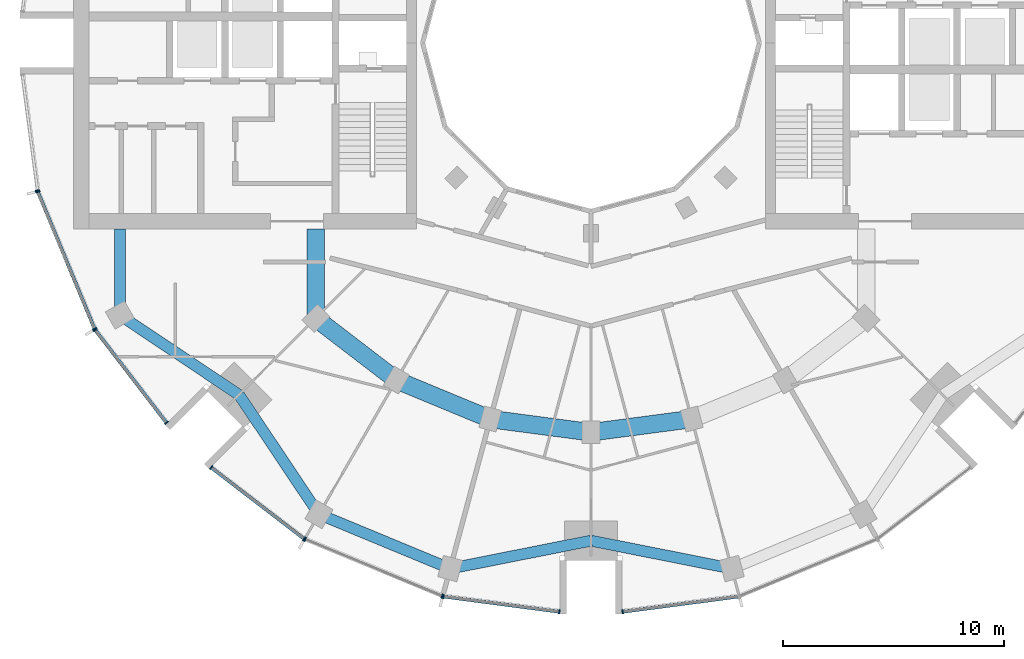
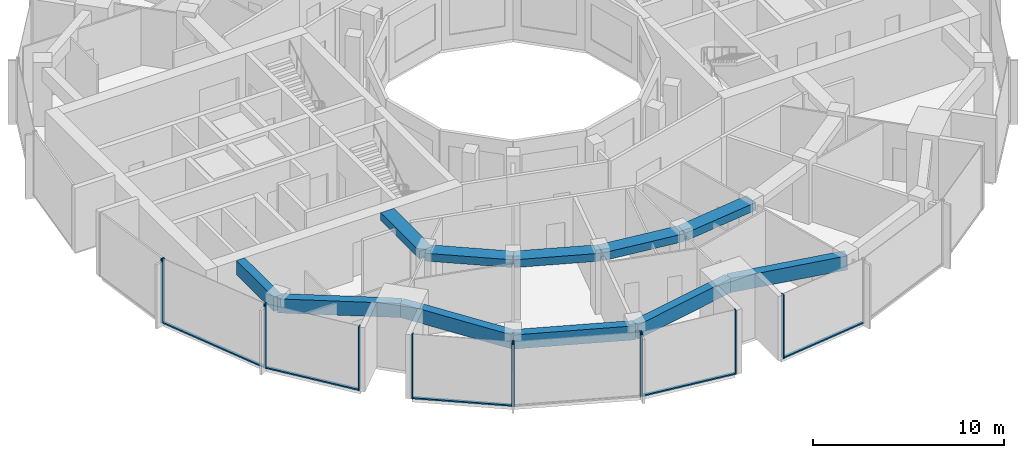
# One storey, part 2 of 15: 17 members, 11 beams, 7 elements without a shape of their own.
"""IFC4 building model written with IfcOpenShell, lengths in metres."""

from ifc_helpers import new_model, si_unit, direction, frame, origin, origin_2d, place, context, subcontext, project, spatial, rectangle, extrude, material, layer, layer_set, material_profile, profile_set, type_object, element, aggregate, save


model = new_model("IFC4")

# Units and contexts
model_context = context("Model", 3, precision=1e-05, world=origin(), true_north=direction((0.0, 1.0)))
body_context = subcontext(model_context, "Body", "Model", "MODEL_VIEW")
ifc_project = project(units=[si_unit("LENGTHUNIT", "METRE"), si_unit("AREAUNIT", "SQUARE_METRE"), si_unit("VOLUMEUNIT", "CUBIC_METRE"), si_unit("PLANEANGLEUNIT", "RADIAN"), si_unit("MASSUNIT", "GRAM", prefix="KILO")], contexts=[model_context])

# Site, building, storey
site_placement = place(None, origin())
site = spatial("IfcSite", under=ifc_project, at=site_placement, CompositionType="ELEMENT")
building_placement = place(site_placement, origin())
building = spatial("IfcBuilding", under=site, at=building_placement, Name="Torre Brocal", CompositionType="ELEMENT")
storey_placement = place(building_placement, frame((0.0, 0.0, 194.60009765625)))
storey = spatial("IfcBuildingStorey", under=building, at=storey_placement, Name="L45", CompositionType="ELEMENT", Elevation=194.60009765625)

# Curtain wall, members
ifc_material_1 = material(Name="Aluminium and glass", Category="aluminium")
ifc_layer_1 = layer(ifc_material_1, 0.199951171875)
ifc_layer_set_1 = layer_set([ifc_layer_1], Name="Aluminium and glass")
curtain_wall_type_1 = type_object("IfcCurtainWallType", Name="CW-1 CURTAIN WALL 4100 HIGH", PredefinedType="NOTDEFINED", material=ifc_layer_set_1)
curtain_wall_1_placement = place(storey_placement, origin())
curtain_wall_1 = element("IfcCurtainWall", 1, at=curtain_wall_1_placement, inside=storey, type_object=curtain_wall_type_1, Name="CW-1 RUN 14", PredefinedType="NOTDEFINED")
ifc_material_2 = material(Name="Aluminium, dark anodised", Category="aluminium")
ifc_material_profile_1 = material_profile(ifc_material_2, rectangle(XDim=0.199951171875, YDim=0.06005859375, at=origin_2d()), Name="CW-1 MULLION 60X200")
ifc_profile_set_1 = profile_set([ifc_material_profile_1], Name="Aluminium, dark anodised")
member_type_1 = type_object("IfcMemberType", Name="CW-1 MULLION 60X200", PredefinedType="MULLION", material=ifc_profile_set_1)
member_1_placement = place(storey_placement, frame((54.994873046875, 68.26904296875, 0.0), z_axis=(0.0, 0.0, 1.0), x_axis=(0.923879532525, 0.382683432333, 0.0)))
member_1 = element("IfcMember", 2, at=member_1_placement, type_object=member_type_1, Name="CW1-4 mullion 1", PredefinedType="MULLION", context=body_context, shape_type="SweptSolid", body=[
    extrude(rectangle(XDim=0.199951171875, YDim=0.06005859375, at=origin_2d()), origin(), (0.0, 0.0, 1.0), 4.099853515625),
])
member_2_placement = place(storey_placement, frame((57.559326171875, 62.078125, 0.0), z_axis=(0.0, 0.0, 1.0), x_axis=(0.923879532525, 0.382683432333, 0.0)))
member_2 = element("IfcMember", 3, at=member_2_placement, type_object=member_type_1, Name="CW1-4 mullion 2", PredefinedType="MULLION", context=body_context, shape_type="SweptSolid", body=[
    extrude(rectangle(XDim=0.199951171875, YDim=0.06005859375, at=origin_2d()), origin(), (0.0, 0.0, 1.0), 4.099853515625),
])

curtain_wall_2_placement = place(storey_placement, origin())
curtain_wall_2 = element("IfcCurtainWall", 4, at=curtain_wall_2_placement, inside=storey, type_object=curtain_wall_type_1, Name="CW-1 RUN 15", PredefinedType="NOTDEFINED")
member_3_placement = place(storey_placement, frame((57.5888671875, 62.026611328125, 0.0), z_axis=(0.0, 0.0, 1.0), x_axis=(0.793353340259, 0.60876142905, 0.0)))
member_3 = element("IfcMember", 5, at=member_3_placement, type_object=member_type_1, Name="CW1-4 mullion 1", PredefinedType="MULLION", context=body_context, shape_type="SweptSolid", body=[
    extrude(rectangle(XDim=0.199951171875, YDim=0.06005859375, at=origin_2d()), origin(), (0.0, 0.0, 1.0), 4.099853515625),
])
member_4_placement = place(storey_placement, frame((60.80859375, 57.83056640625, 0.0), z_axis=(0.0, 0.0, 1.0), x_axis=(0.793353340259, 0.60876142905, 0.0)))
member_4 = element("IfcMember", 6, at=member_4_placement, type_object=member_type_1, Name="CW1-4 mullion 2", PredefinedType="MULLION", context=body_context, shape_type="SweptSolid", body=[
    extrude(rectangle(XDim=0.199951171875, YDim=0.06005859375, at=origin_2d()), origin(), (0.0, 0.0, 1.0), 4.099853515625),
])

curtain_wall_3_placement = place(storey_placement, origin())
curtain_wall_3 = element("IfcCurtainWall", 7, at=curtain_wall_3_placement, inside=storey, type_object=curtain_wall_type_1, Name="CW-1 RUN 16", PredefinedType="NOTDEFINED")
member_5_placement = place(storey_placement, frame((62.83056640625, 55.80859375, 0.0), z_axis=(0.0, 0.0, 1.0), x_axis=(0.60876142905, 0.793353340259, 0.0)))
member_5 = element("IfcMember", 8, at=member_5_placement, type_object=member_type_1, Name="CW1-4 mullion 1", PredefinedType="MULLION", context=body_context, shape_type="SweptSolid", body=[
    extrude(rectangle(XDim=0.199951171875, YDim=0.06005859375, at=origin_2d()), origin(), (0.0, 0.0, 1.0), 4.099853515625),
])
member_6_placement = place(storey_placement, frame((67.026611328125, 52.5888671875, 0.0), z_axis=(0.0, 0.0, 1.0), x_axis=(0.60876142905, 0.793353340259, 0.0)))
member_6 = element("IfcMember", 9, at=member_6_placement, type_object=member_type_1, Name="CW1-4 mullion 2", PredefinedType="MULLION", context=body_context, shape_type="SweptSolid", body=[
    extrude(rectangle(XDim=0.199951171875, YDim=0.06005859375, at=origin_2d()), origin(), (0.0, 0.0, 1.0), 4.099853515625),
])

curtain_wall_4_placement = place(storey_placement, origin())
curtain_wall_4 = element("IfcCurtainWall", 10, at=curtain_wall_4_placement, inside=storey, type_object=curtain_wall_type_1, Name="CW-1 RUN 17", PredefinedType="NOTDEFINED")
member_7_placement = place(storey_placement, frame((67.078125, 52.559326171875, 0.0), z_axis=(0.0, 0.0, 1.0), x_axis=(0.382683432333, 0.923879532525, 0.0)))
member_7 = element("IfcMember", 11, at=member_7_placement, type_object=member_type_1, Name="CW1-4 mullion 1", PredefinedType="MULLION", context=body_context, shape_type="SweptSolid", body=[
    extrude(rectangle(XDim=0.199951171875, YDim=0.06005859375, at=origin_2d()), origin(), (0.0, 0.0, 1.0), 4.099853515625),
])
member_8_placement = place(storey_placement, frame((73.26904296875, 49.994873046875, 0.0), z_axis=(0.0, 0.0, 1.0), x_axis=(0.382683432333, 0.923879532525, 0.0)))
member_8 = element("IfcMember", 12, at=member_8_placement, type_object=member_type_1, Name="CW1-4 mullion 2", PredefinedType="MULLION", context=body_context, shape_type="SweptSolid", body=[
    extrude(rectangle(XDim=0.199951171875, YDim=0.06005859375, at=origin_2d()), origin(), (0.0, 0.0, 1.0), 4.099853515625),
])
aggregate(curtain_wall_4, [member_7, member_8])

curtain_wall_5_placement = place(storey_placement, origin())
curtain_wall_5 = element("IfcCurtainWall", 13, at=curtain_wall_5_placement, inside=storey, type_object=curtain_wall_type_1, Name="CW-1 RUN 18", PredefinedType="NOTDEFINED")
member_9_placement = place(storey_placement, frame((73.32666015625, 49.9794921875, 0.0), z_axis=(0.0, 0.0, 1.0), x_axis=(0.13052619222, 0.991444861374, 0.0)))
member_9 = element("IfcMember", 14, at=member_9_placement, type_object=member_type_1, Name="CW1-4 mullion 1", PredefinedType="MULLION", context=body_context, shape_type="SweptSolid", body=[
    extrude(rectangle(XDim=0.199951171875, YDim=0.06005859375, at=origin_2d()), origin(), (0.0, 0.0, 1.0), 4.099853515625),
])
member_10_placement = place(storey_placement, frame((78.5703125, 49.2890625, 0.0), z_axis=(0.0, 0.0, 1.0), x_axis=(0.13052619222, 0.991444861374, 0.0)))
member_10 = element("IfcMember", 15, at=member_10_placement, type_object=member_type_1, Name="CW1-4 mullion 2", PredefinedType="MULLION", context=body_context, shape_type="SweptSolid", body=[
    extrude(rectangle(XDim=0.199951171875, YDim=0.06005859375, at=origin_2d()), origin(), (0.0, 0.0, 1.0), 4.099853515625),
])

# Curtain wall, member
curtain_wall_6_placement = place(storey_placement, origin())
curtain_wall_6 = element("IfcCurtainWall", 16, at=curtain_wall_6_placement, inside=storey, type_object=curtain_wall_type_1, Name="CW-1 RUN 19", PredefinedType="NOTDEFINED")
member_11_placement = place(storey_placement, frame((81.4296875, 49.2890625, 0.0), z_axis=(0.0, 0.0, 1.0), x_axis=(-0.13052619222, 0.991444861374, 0.0)))
member_11 = element("IfcMember", 17, at=member_11_placement, type_object=member_type_1, Name="CW1-4 mullion 1", PredefinedType="MULLION", context=body_context, shape_type="SweptSolid", body=[
    extrude(rectangle(XDim=0.199951171875, YDim=0.06005859375, at=origin_2d()), origin(), (0.0, 0.0, 1.0), 4.099853515625),
])

# Member
ifc_material_3 = material(Name="Aluminium, dark anodised", Category="aluminium")
ifc_material_profile_2 = material_profile(ifc_material_3, rectangle(XDim=0.159912109375, YDim=0.080078125, at=origin_2d()), Name="CW-1 TRANSOM 160X80")
ifc_profile_set_2 = profile_set([ifc_material_profile_2], Name="Aluminium, dark anodised")
member_type_2 = type_object("IfcMemberType", Name="CW-1 TRANSOM 160X80", PredefinedType="USERDEFINED", material=ifc_profile_set_2)
member_12_placement = place(storey_placement, frame((55.00634765625, 68.241455078125, 0.039794921875), z_axis=(0.38266457234, -0.923887344364, 0.0), x_axis=(0.923887344364, 0.38266457234, 0.0)))
member_12 = element("IfcMember", 18, at=member_12_placement, type_object=member_type_2, Name="CW1-4 transom 1.1", ObjectType="TRANSOM", PredefinedType="USERDEFINED", context=body_context, shape_type="SweptSolid", body=[
    extrude(rectangle(XDim=0.159912109375, YDim=0.080078125, at=origin_2d()), origin(), (0.0, 0.0, 1.0), 6.640869140625),
])

aggregate(curtain_wall_1, [member_1, member_2, member_12])

member_13_placement = place(storey_placement, frame((57.607177734375, 62.0029296875, 0.039794921875), z_axis=(0.60874908096, -0.79336281513, 0.0), x_axis=(0.79336281513, 0.60874908096, 0.0)))
member_13 = element("IfcMember", 19, at=member_13_placement, type_object=member_type_2, Name="CW1-4 transom 1.1", ObjectType="TRANSOM", PredefinedType="USERDEFINED", context=body_context, shape_type="SweptSolid", body=[
    extrude(rectangle(XDim=0.159912109375, YDim=0.080078125, at=origin_2d()), origin(), (0.0, 0.0, 1.0), 5.22900390625),
])

aggregate(curtain_wall_2, [member_3, member_4, member_13])

member_14_placement = place(storey_placement, frame((62.8544921875, 55.790283203125, 0.039794921875), z_axis=(0.79336281513, -0.60874908096, 0.0), x_axis=(0.60874908096, 0.79336281513, 0.0)))
member_14 = element("IfcMember", 20, at=member_14_placement, type_object=member_type_2, Name="CW1-4 transom 1.1", ObjectType="TRANSOM", PredefinedType="USERDEFINED", context=body_context, shape_type="SweptSolid", body=[
    extrude(rectangle(XDim=0.159912109375, YDim=0.080078125, at=origin_2d()), origin(), (0.0, 0.0, 1.0), 5.22900390625),
])

aggregate(curtain_wall_3, [member_5, member_6, member_14])

member_15_placement = place(storey_placement, frame((73.356201171875, 49.9755859375, 0.039794921875), z_axis=(0.991442690863, -0.130542677827, 0.0), x_axis=(0.130542677827, 0.991442690863, 0.0)))
member_15 = element("IfcMember", 21, at=member_15_placement, type_object=member_type_2, Name="CW1-4 transom 1.1", ObjectType="TRANSOM", PredefinedType="USERDEFINED", context=body_context, shape_type="SweptSolid", body=[
    extrude(rectangle(XDim=0.159912109375, YDim=0.080078125, at=origin_2d()), origin(), (0.0, 0.0, 1.0), 5.22900390625),
])

aggregate(curtain_wall_5, [member_9, member_10, member_15])

member_16_placement = place(storey_placement, frame((81.45947265625, 49.29296875, 0.039794921875), z_axis=(0.991442690863, 0.130542677827, 0.0), x_axis=(-0.130542677827, 0.991442690863, 0.0)))
member_16 = element("IfcMember", 22, at=member_16_placement, type_object=member_type_2, Name="CW1-4 transom 1.1", ObjectType="TRANSOM", PredefinedType="USERDEFINED", context=body_context, shape_type="SweptSolid", body=[
    extrude(rectangle(XDim=0.159912109375, YDim=0.080078125, at=origin_2d()), origin(), (0.0, 0.0, 1.0), 5.22900390625),
])

aggregate(curtain_wall_6, [member_11, member_16])

# Curtain wall, member
ifc_material_4 = material(Name="Aluminium and glass", Category="aluminium")
ifc_layer_2 = layer(ifc_material_4, 0.199951171875)
ifc_layer_set_2 = layer_set([ifc_layer_2], Name="Aluminium and glass")
curtain_wall_type_2 = type_object("IfcCurtainWallType", Name="CW-1B CURTAIN WALL 4100 HIGH", PredefinedType="NOTDEFINED", material=ifc_layer_set_2)
curtain_wall_7_placement = place(storey_placement, origin())
curtain_wall_7 = element("IfcCurtainWall", 23, at=curtain_wall_7_placement, inside=storey, type_object=curtain_wall_type_2, Name="CW-1B RUN 13", PredefinedType="NOTDEFINED")
ifc_material_5 = material(Name="Aluminium, dark anodised", Category="aluminium")
ifc_material_profile_3 = material_profile(ifc_material_5, rectangle(XDim=0.199951171875, YDim=0.06005859375, at=origin_2d()), Name="CW-1B MULLION 60X200")
ifc_profile_set_3 = profile_set([ifc_material_profile_3], Name="Aluminium, dark anodised")
member_type_3 = type_object("IfcMemberType", Name="CW-1B MULLION 60X200", PredefinedType="MULLION", material=ifc_profile_set_3)
member_17_placement = place(storey_placement, frame((54.9794921875, 68.32666015625, 0.0), z_axis=(0.0, 0.0, 1.0), x_axis=(0.991444861374, 0.13052619222, 0.0)))
member_17 = element("IfcMember", 24, at=member_17_placement, type_object=member_type_3, Name="CW1B-4 mullion 2", PredefinedType="MULLION", context=body_context, shape_type="SweptSolid", body=[
    extrude(rectangle(XDim=0.199951171875, YDim=0.06005859375, at=origin_2d()), origin(), (0.0, 0.0, 1.0), 4.099853515625),
])
aggregate(curtain_wall_7, [member_17])

# Beams
ifc_material_6 = material(Name="Concrete C50", Category="concrete")
ifc_material_profile_4 = material_profile(ifc_material_6, rectangle(XDim=0.800048828125, YDim=0.5, at=origin_2d()), Name="RC 800X500")
ifc_profile_set_4 = profile_set([ifc_material_profile_4], Name="Concrete C50")
beam_type_1 = type_object("IfcBeamType", Name="RC BEAM 800X500 C50 TOP 3780", PredefinedType="BEAM", material=ifc_profile_set_4)
beam_1_placement = place(storey_placement, frame((67.554931640625, 62.554931640625, 3.52978515625), z_axis=(0.0, 1.0, 0.0), x_axis=(-1.0, 0.0, 0.0)))
element("IfcBeam", 25, at=beam_1_placement, inside=storey, type_object=beam_type_1, Name="Beam BT-32", PredefinedType="BEAM", context=body_context, shape_type="SweptSolid", body=[
    extrude(rectangle(XDim=0.800048828125, YDim=0.5, at=origin_2d()), origin(), (0.0, 0.0, 1.0), 4.045166015625),
])
beam_2_placement = place(storey_placement, frame((67.554931640625, 62.554931640625, 3.52978515625), z_axis=(0.793358265959, -0.6087550097, 0.0), x_axis=(0.6087550097, 0.793358265959, 0.0)))
element("IfcBeam", 26, at=beam_2_placement, inside=storey, type_object=beam_type_1, Name="Beam BT-32", PredefinedType="BEAM", context=body_context, shape_type="SweptSolid", body=[
    extrude(rectangle(XDim=0.800048828125, YDim=0.5, at=origin_2d()), origin(), (0.0, 0.0, 1.0), 4.594482421875),
])
beam_3_placement = place(storey_placement, frame((71.199951171875, 59.758056640625, 3.52978515625), z_axis=(0.923878240166, -0.382686552348, 0.0), x_axis=(0.382686552348, 0.923878240166, 0.0)))
element("IfcBeam", 27, at=beam_3_placement, inside=storey, type_object=beam_type_1, Name="Beam BT-32", PredefinedType="BEAM", context=body_context, shape_type="SweptSolid", body=[
    extrude(rectangle(XDim=0.800048828125, YDim=0.5, at=origin_2d()), origin(), (0.0, 0.0, 1.0), 4.5947265625),
])
for number, where, z_axis, x_axis, name in (
    (28, (75.44482421875, 57.999755859375, 3.52978515625), (0.991440544449, -0.130558978332, 0.0), (0.130558978332, 0.991440544449, 0.0), "Beam BT-32"),
    (29, (80.0, 57.39990234375, 3.52978515625), (0.991440544449, 0.130558978332, 0.0), (-0.130558978332, 0.991440544449, 0.0), "Beam BT-32"),
):
    element("IfcBeam", number, at=place(storey_placement, frame(where, z_axis=z_axis, x_axis=x_axis)), inside=storey, type_object=beam_type_1, Name=name, PredefinedType="BEAM", context=body_context, shape_type="SweptSolid", body=[
        extrude(rectangle(XDim=0.800048828125, YDim=0.5, at=origin_2d()), origin(), (0.0, 0.0, 1.0), 4.594482421875),
    ])
ifc_material_7 = material(Name="Concrete C50", Category="concrete")
ifc_material_profile_5 = material_profile(ifc_material_7, rectangle(XDim=0.5, YDim=0.89990234375, at=origin_2d()), Name="RC 500X900")
ifc_profile_set_5 = profile_set([ifc_material_profile_5], Name="Concrete C50")
beam_type_2 = type_object("IfcBeamType", Name="RC SPANDREL BEAM 500X900 C50 TOP 3780", PredefinedType="SPANDREL", material=ifc_profile_set_5)
beam_4_placement = place(storey_placement, frame((58.69580078125, 62.699951171875, 3.329833984375), z_axis=(0.0, 1.0, 0.0), x_axis=(-1.0, 0.0, 0.0)))
element("IfcBeam", 30, at=beam_4_placement, inside=storey, type_object=beam_type_2, Name="Beam BT-33", PredefinedType="SPANDREL", context=body_context, shape_type="SweptSolid", body=[
    extrude(rectangle(XDim=0.5, YDim=0.89990234375, at=origin_2d()), origin(), (0.0, 0.0, 1.0), 3.900146484375),
])
for number, where, z_axis, x_axis, name in (
    (31, (58.69580078125, 62.699951171875, 3.329833984375), (0.831076844476, -0.556157602282, 0.0), (0.556157602282, 0.831076844476, 0.0), "Beam BT-33"),
    (32, (64.090087890625, 59.090087890625, 3.329833984375), (0.556157602282, -0.831076844476, 0.0), (0.831076844476, 0.556157602282, 0.0), "Beam BT-33"),
):
    element("IfcBeam", number, at=place(storey_placement, frame(where, z_axis=z_axis, x_axis=x_axis)), inside=storey, type_object=beam_type_2, Name=name, PredefinedType="SPANDREL", context=body_context, shape_type="SweptSolid", body=[
        extrude(rectangle(XDim=0.5, YDim=0.89990234375, at=origin_2d()), origin(), (0.0, 0.0, 1.0), 6.49072265625),
    ])
beam_5_placement = place(storey_placement, frame((67.699951171875, 53.69580078125, 3.329833984375), z_axis=(0.923882462513, -0.382676358639, 0.0), x_axis=(0.382676358639, 0.923882462513, 0.0)))
element("IfcBeam", 33, at=beam_5_placement, inside=storey, type_object=beam_type_2, Name="Beam BT-33", PredefinedType="SPANDREL", context=body_context, shape_type="SweptSolid", body=[
    extrude(rectangle(XDim=0.5, YDim=0.89990234375, at=origin_2d()), origin(), (0.0, 0.0, 1.0), 6.421875),
])
for number, where, z_axis, x_axis, name in (
    (34, (73.633056640625, 51.23828125, 3.329833984375), (0.980924907484, 0.194387051723, 0.0), (-0.194387051723, 0.980924907484, 0.0), "Beam BT-33"),
    (35, (80.0, 52.5, 3.329833984375), (0.980924907484, -0.194387051723, 0.0), (0.194387051723, 0.980924907484, 0.0), "Beam BT-33"),
):
    element("IfcBeam", number, at=place(storey_placement, frame(where, z_axis=z_axis, x_axis=x_axis)), inside=storey, type_object=beam_type_2, Name=name, PredefinedType="SPANDREL", context=body_context, shape_type="SweptSolid", body=[
        extrude(rectangle(XDim=0.5, YDim=0.89990234375, at=origin_2d()), origin(), (0.0, 0.0, 1.0), 6.49072265625),
    ])

save(model, "model.ifc")
